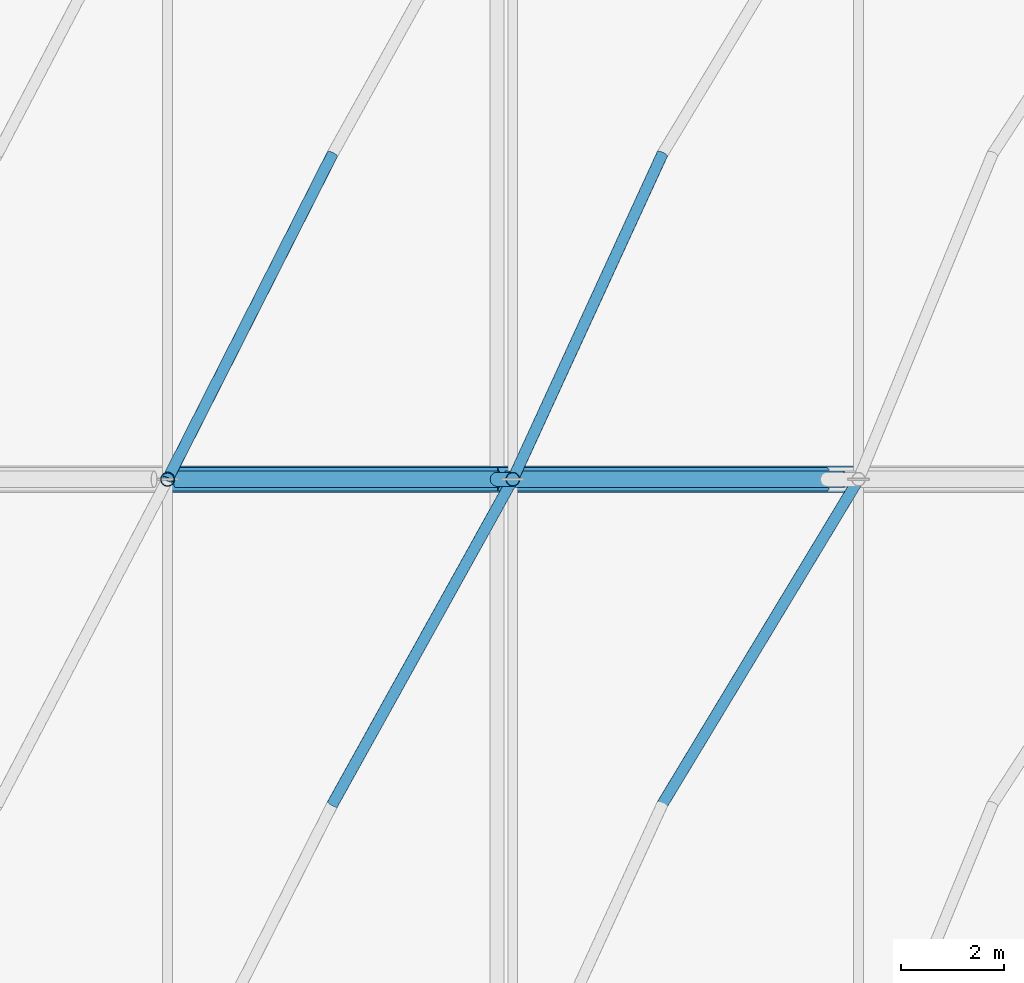
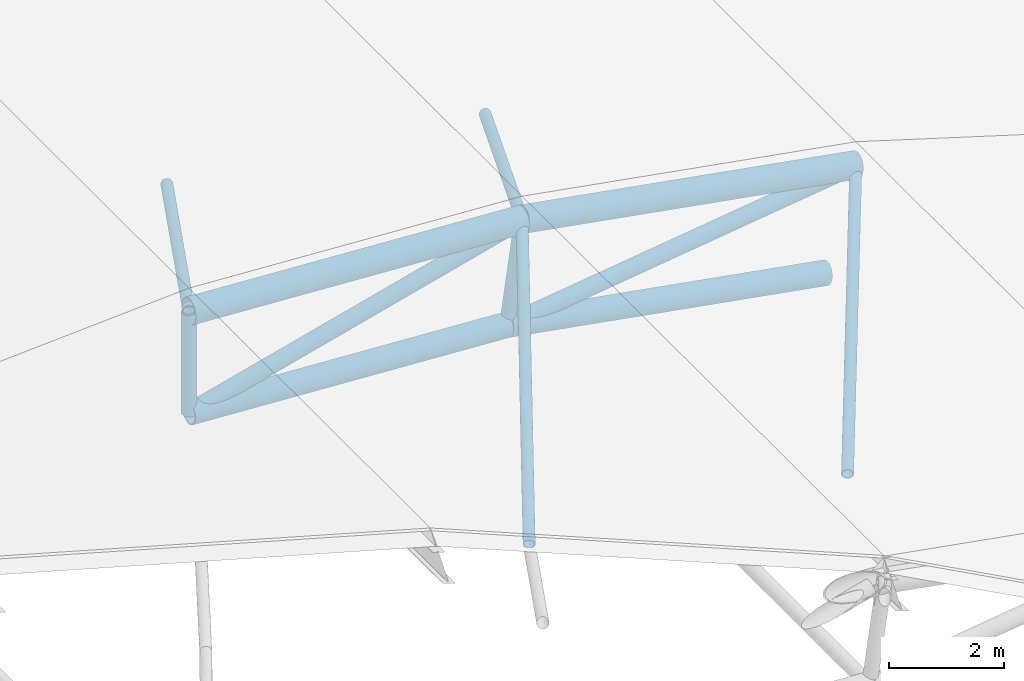
# One storey, part 10 of 18: 12 members.
"""IFC4 building model written with IfcOpenShell, lengths in metres."""

from ifc_helpers import new_model, si_unit, derived_unit, direction, frame, origin, origin_2d, place, context, subcontext, project, spatial, hollow_circle, extrude, material, material_profile, profile_set, type_object, element, save


model = new_model("IFC4")

# Units and contexts
model_context = context("Model", 3, precision=1e-05, world=origin(), true_north=direction((0.0, 1.0)))
body_context = subcontext(model_context, "Body", "Model", "MODEL_VIEW")
ifc_project = project(units=[si_unit("LENGTHUNIT", "METRE"), si_unit("AREAUNIT", "SQUARE_METRE"), si_unit("VOLUMEUNIT", "CUBIC_METRE"), si_unit("PLANEANGLEUNIT", "RADIAN"), si_unit("MASSUNIT", "GRAM", prefix="KILO"), derived_unit("THERMALTRANSMITTANCEUNIT", [(si_unit("MASSUNIT", "GRAM", prefix="KILO"), 1), (si_unit("TIMEUNIT", "SECOND"), -3), (si_unit("THERMODYNAMICTEMPERATUREUNIT", "KELVIN"), -1)])], contexts=[model_context])

# Site, building, storey
site_placement = place(None, origin())
site = spatial("IfcSite", under=ifc_project, at=site_placement, CompositionType="ELEMENT")
building_placement = place(site_placement, origin())
building = spatial("IfcBuilding", under=site, at=building_placement, Name="Valcora Ridge Arena", CompositionType="ELEMENT")
storey_placement = place(building_placement, frame((0.0, 0.0, 39.800048828125)))
storey = spatial("IfcBuildingStorey", under=building, at=storey_placement, Name="RF", CompositionType="ELEMENT", Elevation=39.800048828125)

# Members
ifc_material = material(Name="Steel ASTM A500 Grade C", Category="steel")
ifc_material_profile_1 = material_profile(ifc_material, hollow_circle(Radius=0.228515625, WallThickness=0.01611328125, at=origin_2d()), Name="CHS457X16")
ifc_profile_set_1 = profile_set([ifc_material_profile_1], Name="Steel ASTM A500 Grade C")
member_type_1 = type_object("IfcMemberType", Name="TY-MEMBER-SFBC-457", PredefinedType="CHORD", material=ifc_profile_set_1)
member_1_placement = place(storey_placement, frame((55.81005859375, 95.60009765625, -1.0), z_axis=(0.998298890165, 0.0, -0.058303738263), x_axis=(0.0, 1.0, 0.0)))
element("IfcMember", 1, at=member_1_placement, inside=storey, type_object=member_type_1, Name="SFBC-457 Space Frame Bottom Chord", PredefinedType="CHORD", context=body_context, shape_type="SweptSolid", body=[
    extrude(hollow_circle(Radius=0.228515625, WallThickness=0.01611328125, at=origin_2d()), origin(), (0.0, 0.0, 1.0), 6.3984375),
])
member_2_placement = place(storey_placement, frame((62.197509765625, 95.60009765625, -1.373046875), z_axis=(0.98458279147, 0.0, -0.174919200607), x_axis=(0.0, 1.0, 0.0)))
element("IfcMember", 2, at=member_2_placement, inside=storey, type_object=member_type_1, Name="SFBC-457 Space Frame Bottom Chord", PredefinedType="CHORD", context=body_context, shape_type="SweptSolid", body=[
    extrude(hollow_circle(Radius=0.228515625, WallThickness=0.01611328125, at=origin_2d()), origin(), (0.0, 0.0, 1.0), 6.4970703125),
])
ifc_material_profile_2 = material_profile(ifc_material, hollow_circle(Radius=0.136474609375, WallThickness=0.012451171875, at=origin_2d()), Name="CHS273X12")
ifc_profile_set_2 = profile_set([ifc_material_profile_2], Name="Steel ASTM A500 Grade C")
member_type_2 = type_object("IfcMemberType", Name="TY-MEMBER-SFKP-273", PredefinedType="POST", material=ifc_profile_set_2)
member_3_placement = place(storey_placement, frame((55.81005859375, 95.60009765625, -1.0), z_axis=(0.0, 0.0, 1.0), x_axis=(1.0, 0.0, 0.0)))
element("IfcMember", 3, at=member_3_placement, inside=storey, type_object=member_type_2, Name="SFKP-273 Space Frame King Post", PredefinedType="POST", context=body_context, shape_type="SweptSolid", body=[
    extrude(hollow_circle(Radius=0.136474609375, WallThickness=0.012451171875, at=origin_2d()), origin(), (0.0, 0.0, 1.0), 2.14990234375),
])
member_4_placement = place(storey_placement, frame((62.197509765625, 95.60009765625, -1.373046875), z_axis=(0.140453193158, 0.0, 0.99008731965), x_axis=(0.0, 1.0, 0.0)))
element("IfcMember", 4, at=member_4_placement, inside=storey, type_object=member_type_2, Name="SFKP-273 Space Frame King Post", PredefinedType="POST", context=body_context, shape_type="SweptSolid", body=[
    extrude(hollow_circle(Radius=0.136474609375, WallThickness=0.012451171875, at=origin_2d()), origin(), (0.0, 0.0, 1.0), 2.153564453125),
])
ifc_material_profile_3 = material_profile(ifc_material, hollow_circle(Radius=0.109619140625, WallThickness=0.010009765625, at=origin_2d()), Name="CHS219X10")
ifc_profile_set_3 = profile_set([ifc_material_profile_3], Name="Steel ASTM A500 Grade C")
member_type_3 = type_object("IfcMemberType", Name="TY-MEMBER-SFST-219", PredefinedType="STRUT", material=ifc_profile_set_3)
member_5_placement = place(storey_placement, frame((59.003662109375, 89.300048828125, -1.093017578125), z_axis=(0.469970193804, 0.846838967329, 0.248981485957), x_axis=(-0.874374557103, 0.485251619154, 0.0)))
element("IfcMember", 5, at=member_5_placement, inside=storey, type_object=member_type_3, Name="SFST-219 Space Frame Tie Strut", PredefinedType="STRUT", context=body_context, shape_type="SweptSolid", body=[
    extrude(hollow_circle(Radius=0.109619140625, WallThickness=0.010009765625, at=origin_2d()), origin(), (0.0, 0.0, 1.0), 7.439453125),
])
member_6_placement = place(storey_placement, frame((65.39599609375, 89.300048828125, -1.843505859375), z_axis=(0.50761778143, 0.84070835311, 0.188503721414), x_axis=(-0.856055305628, 0.516884236272, 0.0)))
element("IfcMember", 6, at=member_6_placement, inside=storey, type_object=member_type_3, Name="SFST-219 Space Frame Tie Strut", PredefinedType="STRUT", context=body_context, shape_type="SweptSolid", body=[
    extrude(hollow_circle(Radius=0.109619140625, WallThickness=0.010009765625, at=origin_2d()), origin(), (0.0, 0.0, 1.0), 7.49365234375),
])
member_7_placement = place(storey_placement, frame((59.003662109375, 101.89990234375, -1.093017578125), z_axis=(-0.430949401074, -0.850104605559, 0.302662804653), x_axis=(0.891938575785, -0.452156584632, 0.0)))
element("IfcMember", 7, at=member_7_placement, inside=storey, type_object=member_type_3, Name="SFST-219 Space Frame Tie Strut", PredefinedType="STRUT", context=body_context, shape_type="SweptSolid", body=[
    extrude(hollow_circle(Radius=0.109619140625, WallThickness=0.010009765625, at=origin_2d()), origin(), (0.0, 0.0, 1.0), 7.41064453125),
])
member_8_placement = place(storey_placement, frame((65.39599609375, 101.89990234375, -1.843505859375), z_axis=(-0.391033851494, -0.850635432806, 0.351442580575), x_axis=(0.90859523298, -0.417677749714, 0.0)))
element("IfcMember", 8, at=member_8_placement, inside=storey, type_object=member_type_3, Name="SFST-219 Space Frame Tie Strut", PredefinedType="STRUT", context=body_context, shape_type="SweptSolid", body=[
    extrude(hollow_circle(Radius=0.109619140625, WallThickness=0.010009765625, at=origin_2d()), origin(), (0.0, 0.0, 1.0), 7.406005859375),
])
ifc_material_profile_4 = material_profile(ifc_material, hollow_circle(Radius=0.25390625, WallThickness=0.01611328125, at=origin_2d()), Name="CHS508X16")
ifc_profile_set_4 = profile_set([ifc_material_profile_4], Name="Steel ASTM A500 Grade C")
member_type_4 = type_object("IfcMemberType", Name="TY-MEMBER-SFTC-508", PredefinedType="CHORD", material=ifc_profile_set_4)
member_9_placement = place(storey_placement, frame((55.81005859375, 95.60009765625, 1.14990234375), z_axis=(0.998299656479, 0.0, -0.058290615662), x_axis=(0.0, 1.0, 0.0)))
element("IfcMember", 9, at=member_9_placement, inside=storey, type_object=member_type_4, Name="SFTC-508 Space Frame Top Chord", PredefinedType="CHORD", context=body_context, shape_type="SweptSolid", body=[
    extrude(hollow_circle(Radius=0.25390625, WallThickness=0.01611328125, at=origin_2d()), origin(), (0.0, 0.0, 1.0), 6.701416015625),
])
member_10_placement = place(storey_placement, frame((62.5, 95.60009765625, 0.75927734375), z_axis=(0.984585719015, 0.0, -0.174902721284), x_axis=(0.0, 1.0, 0.0)))
element("IfcMember", 10, at=member_10_placement, inside=storey, type_object=member_type_4, Name="SFTC-508 Space Frame Top Chord", PredefinedType="CHORD", context=body_context, shape_type="SweptSolid", body=[
    extrude(hollow_circle(Radius=0.25390625, WallThickness=0.01611328125, at=origin_2d()), origin(), (0.0, 0.0, 1.0), 6.804931640625),
])
ifc_material_profile_5 = material_profile(ifc_material, hollow_circle(Radius=0.161865234375, WallThickness=0.012451171875, at=origin_2d()), Name="CHS323X12")
ifc_profile_set_5 = profile_set([ifc_material_profile_5], Name="Steel ASTM A500 Grade C")
member_type_5 = type_object("IfcMemberType", Name="TY-MEMBER-SFWB-323", PredefinedType="BRACE", material=ifc_profile_set_5)
member_11_placement = place(storey_placement, frame((55.964599609375, 95.60009765625, -0.959228515625), z_axis=(0.967117485825, 0.0, 0.254330038751), x_axis=(0.0, 1.0, 0.0)))
element("IfcMember", 11, at=member_11_placement, inside=storey, type_object=member_type_5, Name="SFWB-323 Space Frame Diagonal Brace", PredefinedType="BRACE", context=body_context, shape_type="SweptSolid", body=[
    extrude(hollow_circle(Radius=0.161865234375, WallThickness=0.012451171875, at=origin_2d()), origin(), (0.0, 0.0, 1.0), 6.4775390625),
])
member_12_placement = place(storey_placement, frame((62.356201171875, 95.60009765625, -1.3515625), z_axis=(0.991073399433, 0.0, 0.133317354222), x_axis=(0.0, 1.0, 0.0)))
element("IfcMember", 12, at=member_12_placement, inside=storey, type_object=member_type_5, Name="SFWB-323 Space Frame Diagonal Brace", PredefinedType="BRACE", context=body_context, shape_type="SweptSolid", body=[
    extrude(hollow_circle(Radius=0.161865234375, WallThickness=0.012451171875, at=origin_2d()), origin(), (0.0, 0.0, 1.0), 6.62548828125),
])

save(model, "model.ifc")
